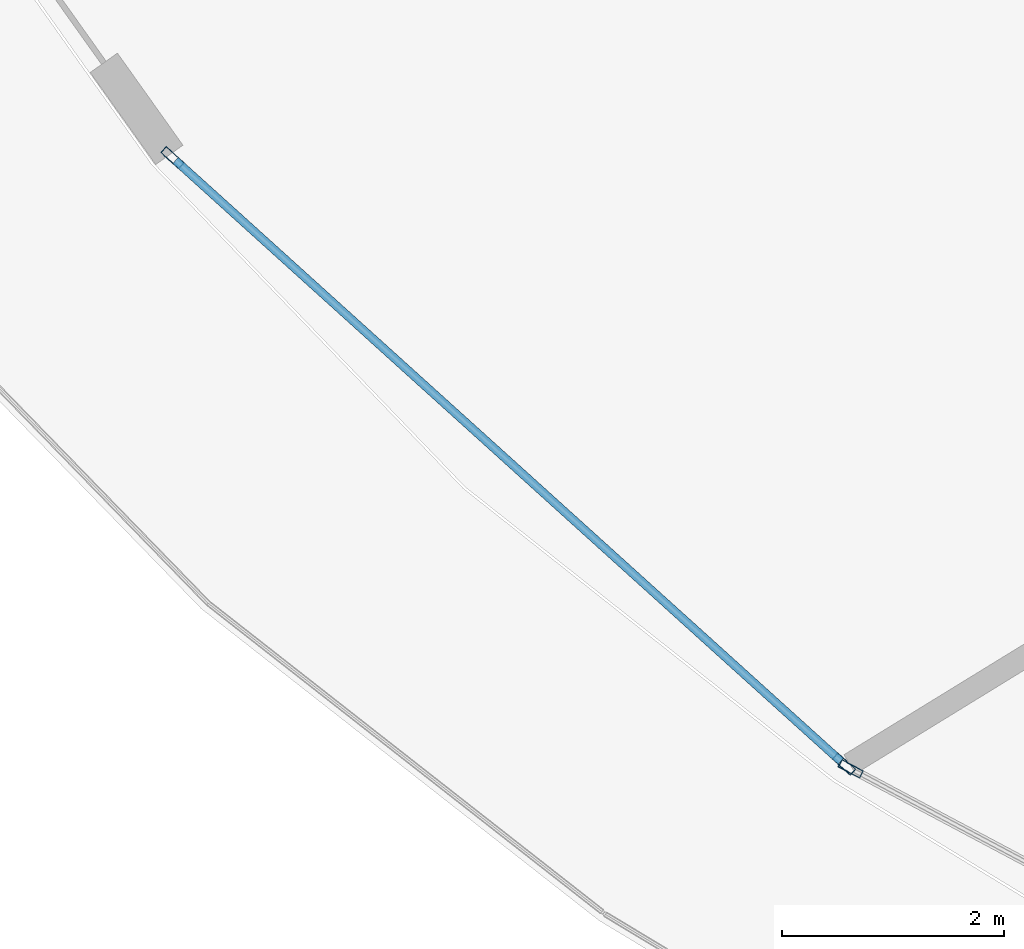
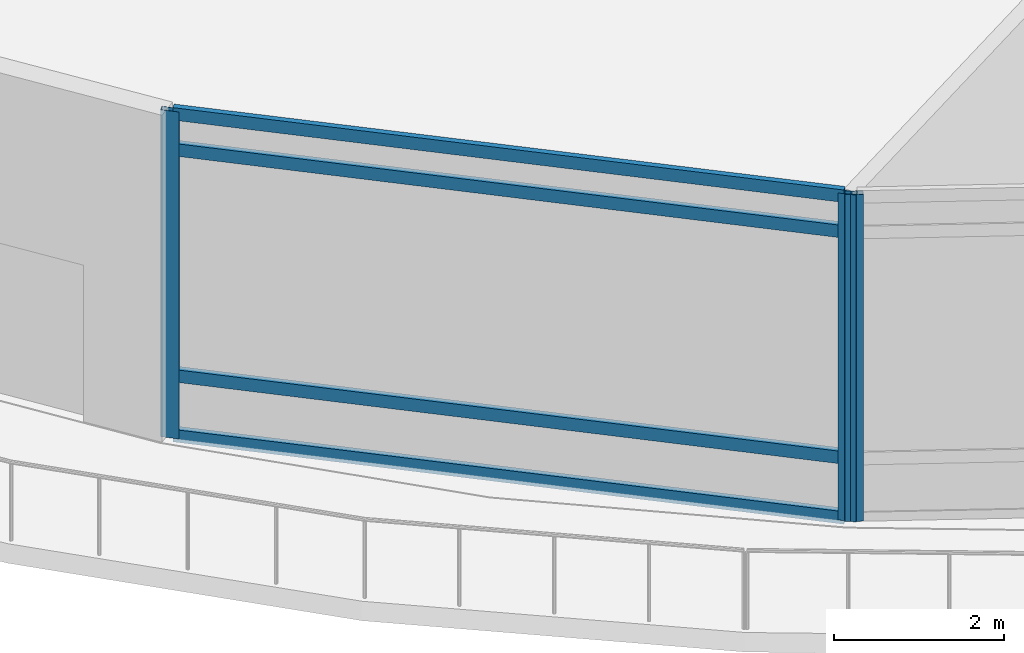
# One storey, part 2 of 37: 7 members, 2 elements without a shape of their own.
"""IFC4 building model written with IfcOpenShell, lengths in metres."""

from ifc_helpers import new_model, si_unit, direction, frame, origin, origin_2d, place, context, subcontext, project, spatial, hollow_rectangle, extrude, material, layer, layer_set, material_profile, profile_set, type_object, element, aggregate, save


model = new_model("IFC4")

# Units and contexts
model_context = context("Model", 3, precision=1e-05, world=origin(), true_north=direction((0.0, 1.0)))
body_context = subcontext(model_context, "Body", "Model", "MODEL_VIEW")
ifc_project = project(units=[si_unit("LENGTHUNIT", "METRE"), si_unit("AREAUNIT", "SQUARE_METRE"), si_unit("VOLUMEUNIT", "CUBIC_METRE"), si_unit("PLANEANGLEUNIT", "RADIAN"), si_unit("MASSUNIT", "GRAM", prefix="KILO")], contexts=[model_context])

# Site, building, storey
site_placement = place(None, origin())
site = spatial("IfcSite", under=ifc_project, at=site_placement, CompositionType="ELEMENT")
building_placement = place(site_placement, origin())
building = spatial("IfcBuilding", under=site, at=building_placement, Name="Nuhasar Tower", CompositionType="ELEMENT")
storey_placement = place(building_placement, frame((0.0, 0.0, 6.0)))
storey = spatial("IfcBuildingStorey", under=building, at=storey_placement, Name="L01", CompositionType="ELEMENT", Elevation=6.0)

# Curtain wall, members
ifc_material = material(Name="Aluminium 6063-T6", Category="aluminium")
ifc_layer = layer(ifc_material, 0.219970703125)
ifc_layer_set = layer_set([ifc_layer], Name="Aluminium 6063-T6")
curtain_wall_type = type_object("IfcCurtainWallType", Name="CW-PODIUM", PredefinedType="NOTDEFINED", material=ifc_layer_set)
curtain_wall_1_placement = place(storey_placement, origin())
curtain_wall_1 = element("IfcCurtainWall", 1, at=curtain_wall_1_placement, inside=storey, type_object=curtain_wall_type, Name="L01 Podium Curtain Wall Bay 15", PredefinedType="NOTDEFINED")
ifc_material_profile_1 = material_profile(ifc_material, hollow_rectangle(XDim=0.074951171875, YDim=0.219970703125, WallThickness=0.0048828125, at=origin_2d()), Name="CWM-1")
ifc_profile_set_1 = profile_set([ifc_material_profile_1], Name="Aluminium 6063-T6")
member_type_1 = type_object("IfcMemberType", Name="CW-MUL-S1", PredefinedType="MULLION", material=ifc_profile_set_1)
member_1_placement = place(storey_placement, frame((5.73779296875, 13.454833984375, 0.0), z_axis=(0.0, 0.0, 1.0), x_axis=(0.67023230157, 0.742151374001, 0.0)))
member_1 = element("IfcMember", 2, at=member_1_placement, type_object=member_type_1, Name="CW-P1 mullion 1", PredefinedType="MULLION", context=body_context, shape_type="SweptSolid", body=[
    extrude(hollow_rectangle(XDim=0.074951171875, YDim=0.219970703125, WallThickness=0.0048828125, at=origin_2d()), origin(), (0.0, 0.0, 1.0), 4.699951171875),
])
member_2_placement = place(storey_placement, frame((11.791259765625, 7.988037109375, 0.0), z_axis=(0.0, 0.0, 1.0), x_axis=(0.67023230157, 0.742151374001, 0.0)))
member_2 = element("IfcMember", 3, at=member_2_placement, type_object=member_type_1, Name="CW-P1 mullion 2", PredefinedType="MULLION", context=body_context, shape_type="SweptSolid", body=[
    extrude(hollow_rectangle(XDim=0.074951171875, YDim=0.219970703125, WallThickness=0.0048828125, at=origin_2d()), origin(), (0.0, 0.0, 1.0), 4.699951171875),
])

# Curtain wall, member
curtain_wall_2_placement = place(storey_placement, origin())
curtain_wall_2 = element("IfcCurtainWall", 4, at=curtain_wall_2_placement, inside=storey, type_object=curtain_wall_type, Name="L01 Podium Curtain Wall Bay 16", PredefinedType="NOTDEFINED")
member_3_placement = place(storey_placement, frame((11.85205078125, 7.9453125, 0.0), z_axis=(0.0, 0.0, 1.0), x_axis=(0.469563312429, 0.882898802593, 0.0)))
member_3 = element("IfcMember", 5, at=member_3_placement, type_object=member_type_1, Name="CW-P1 mullion 1", PredefinedType="MULLION", context=body_context, shape_type="SweptSolid", body=[
    extrude(hollow_rectangle(XDim=0.074951171875, YDim=0.219970703125, WallThickness=0.0048828125, at=origin_2d()), origin(), (0.0, 0.0, 1.0), 4.699951171875),
])
aggregate(curtain_wall_2, [member_3])

# Member
ifc_material_profile_2 = material_profile(ifc_material, hollow_rectangle(XDim=0.074951171875, YDim=0.179931640625, WallThickness=0.00439453125, at=origin_2d()), Name="CWT-1")
ifc_profile_set_2 = profile_set([ifc_material_profile_2], Name="Aluminium 6063-T6")
member_type_2 = type_object("IfcMemberType", Name="CW-TRN-S1", PredefinedType="USERDEFINED", material=ifc_profile_set_2)
member_4_placement = place(storey_placement, frame((5.765625, 13.4296875, 0.03759765625), z_axis=(0.74215596141, -0.670227221876, 0.0), x_axis=(0.670227221876, 0.74215596141, 0.0)))
member_4 = element("IfcMember", 6, at=member_4_placement, type_object=member_type_2, Name="CW-P1 transom 1.1", ObjectType="TRANSOM", PredefinedType="USERDEFINED", context=body_context, shape_type="SweptSolid", body=[
    extrude(hollow_rectangle(XDim=0.074951171875, YDim=0.179931640625, WallThickness=0.00439453125, at=origin_2d()), origin(), (0.0, 0.0, 1.0), 8.08154296875),
])

member_5_placement = place(storey_placement, frame((5.765625, 13.4296875, 0.89990234375), z_axis=(0.74215596141, -0.670227221876, 0.0), x_axis=(0.670227221876, 0.74215596141, 0.0)))
member_5 = element("IfcMember", 7, at=member_5_placement, type_object=member_type_2, Name="CW-P1 transom 1.2", ObjectType="TRANSOM", PredefinedType="USERDEFINED", context=body_context, shape_type="SweptSolid", body=[
    extrude(hollow_rectangle(XDim=0.074951171875, YDim=0.179931640625, WallThickness=0.00439453125, at=origin_2d()), origin(), (0.0, 0.0, 1.0), 8.08154296875),
])

member_6_placement = place(storey_placement, frame((5.765625, 13.4296875, 4.14990234375), z_axis=(0.74215596141, -0.670227221876, 0.0), x_axis=(0.670227221876, 0.74215596141, 0.0)))
member_6 = element("IfcMember", 8, at=member_6_placement, type_object=member_type_2, Name="CW-P1 transom 1.3", ObjectType="TRANSOM", PredefinedType="USERDEFINED", context=body_context, shape_type="SweptSolid", body=[
    extrude(hollow_rectangle(XDim=0.074951171875, YDim=0.179931640625, WallThickness=0.00439453125, at=origin_2d()), origin(), (0.0, 0.0, 1.0), 8.08154296875),
])

member_7_placement = place(storey_placement, frame((5.765625, 13.4296875, 4.66259765625), z_axis=(0.74215596141, -0.670227221876, 0.0), x_axis=(0.670227221876, 0.74215596141, 0.0)))
member_7 = element("IfcMember", 9, at=member_7_placement, type_object=member_type_2, Name="CW-P1 transom 1.4", ObjectType="TRANSOM", PredefinedType="USERDEFINED", context=body_context, shape_type="SweptSolid", body=[
    extrude(hollow_rectangle(XDim=0.074951171875, YDim=0.179931640625, WallThickness=0.00439453125, at=origin_2d()), origin(), (0.0, 0.0, 1.0), 8.08154296875),
])

aggregate(curtain_wall_1, [member_1, member_2, member_4, member_5, member_6, member_7])

save(model, "model.ifc")
